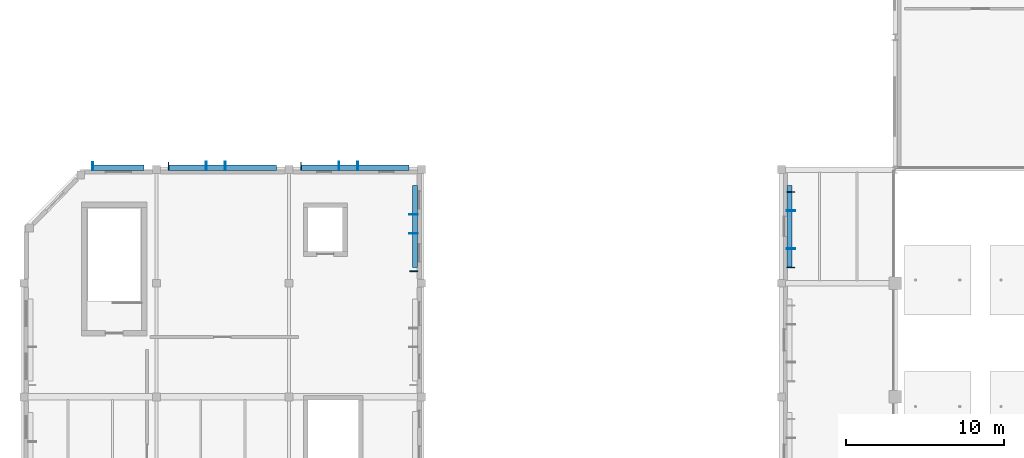
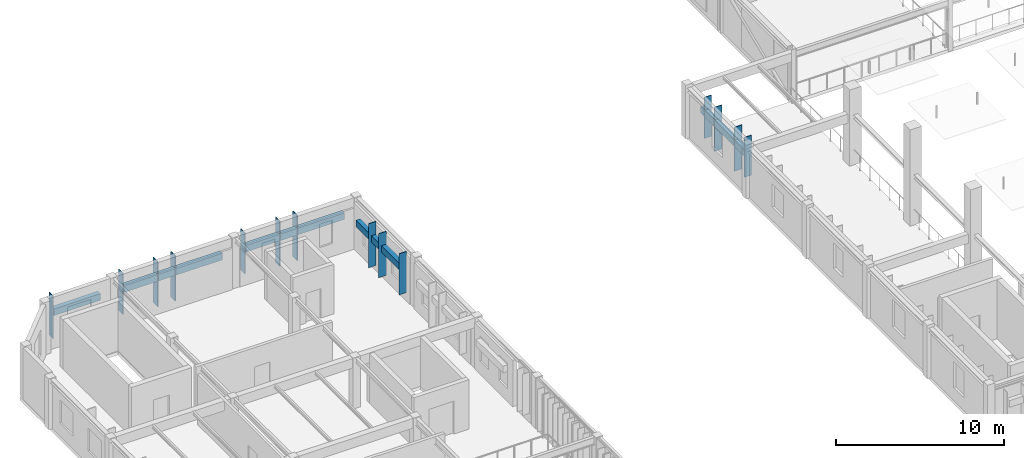
# One storey, part 10 of 44: 19 plates.
"""IFC4 building model written with IfcOpenShell, lengths in metres."""

import ifcopenshell
import ifcopenshell.guid

model = None  # the IFC model being written
_history = None  # IfcOwnerHistory: only IFC2X3 demands one
_inside = {}  # id of a spatial element -> (the spatial element, [elements in it])
_under = {}  # id of a project, library or spatial element -> (it, [spatial elements below it])
_declared = {}  # id of a project -> (the project, [libraries it declares])
_typed = {}  # id of a type object -> (the type object, [elements of that type])
_made_of = {}  # id of a material, layer set ... -> (it, [elements and type objects made of it])


def new_model(schema):
    """Start an empty IFC model of exactly this schema.

    Asked for "IFC4X3", IfcOpenShell would pick the latest addendum, in which some entities
    have other attributes; the version numbers below select the first issue.
    IFC2X3 requires an IfcOwnerHistory on every rooted entity: one is made here for all.
    """
    global model, _history
    if schema == "IFC4X3":
        model = ifcopenshell.file(schema_version=(4, 3, 0, 0))
    else:
        model = ifcopenshell.file(schema=schema)
    _inside.clear()
    _under.clear()
    _declared.clear()
    _typed.clear()
    _made_of.clear()
    _history = None
    if model.schema == "IFC2X3":
        org = make("IfcOrganization", Name="unknown")
        user = make(
            "IfcPersonAndOrganization",
            ThePerson=make("IfcPerson", FamilyName="unknown"),
            TheOrganization=org,
        )
        app = make(
            "IfcApplication",
            ApplicationDeveloper=org,
            Version="unknown",
            ApplicationFullName="unknown",
            ApplicationIdentifier="unknown",
        )
        _history = make(
            "IfcOwnerHistory",
            OwningUser=user,
            OwningApplication=app,
            ChangeAction="ADDED",
            CreationDate=0,
        )
    return model


def make(cls, **values):
    """One entity of the class cls with the attributes given. An attribute that is None is left unset."""
    return model.create_entity(
        cls, **{name: value for name, value in values.items() if value is not None}
    )


def rooted(cls, **values):
    """An entity with a GlobalId (a new one), such as an element, a storey or a relation."""
    return make(cls, GlobalId=ifcopenshell.guid.new(), OwnerHistory=_history, **values)


def si_unit(unit_type, name, prefix=None):
    """IfcSIUnit, for example si_unit("LENGTHUNIT", "METRE", prefix="MILLI")."""
    return make("IfcSIUnit", UnitType=unit_type, Prefix=prefix, Name=name)


def assignment(units):
    """IfcUnitAssignment: the units of a project."""
    return None if units is None else make("IfcUnitAssignment", Units=units)


def point(xyz):
    """IfcCartesianPoint."""
    return None if xyz is None else make("IfcCartesianPoint", Coordinates=xyz)


def direction(xyz):
    """IfcDirection."""
    return None if xyz is None else make("IfcDirection", DirectionRatios=xyz)


def frame(location, z_axis=None, x_axis=None):
    """IfcAxis2Placement3D, a coordinate frame: its origin and axes. An axis left out is left unset."""
    return make(
        "IfcAxis2Placement3D",
        Location=point(location),
        Axis=direction(z_axis),
        RefDirection=direction(x_axis),
    )


def frame_2d(location, x_axis=None):
    """IfcAxis2Placement2D, a coordinate frame in the plane: its origin and x axis."""
    return make(
        "IfcAxis2Placement2D", Location=point(location), RefDirection=direction(x_axis)
    )


def origin():
    """The frame at (0, 0, 0) with its axes left unset."""
    return frame((0.0, 0.0, 0.0))


def origin_2d():
    """The frame at (0, 0) in the plane with its x axis left unset."""
    return frame_2d((0.0, 0.0))


def place(relative_to, where):
    """IfcLocalPlacement: puts the frame where relative to a parent placement (None: the world)."""
    return make(
        "IfcLocalPlacement", PlacementRelTo=relative_to, RelativePlacement=where
    )


def context(
    kind, dimensions, precision=None, world=None, true_north=None, identifier=None
):
    """IfcGeometricRepresentationContext, for example the 3D "Model" context."""
    return make(
        "IfcGeometricRepresentationContext",
        ContextIdentifier=identifier,
        ContextType=kind,
        CoordinateSpaceDimension=dimensions,
        Precision=precision,
        WorldCoordinateSystem=world,
        TrueNorth=true_north,
    )


def subcontext(parent, identifier, kind, view, scale=None):
    """IfcGeometricRepresentationSubContext, for example "Body" below "Model"."""
    return make(
        "IfcGeometricRepresentationSubContext",
        ContextIdentifier=identifier,
        ContextType=kind,
        ParentContext=parent,
        TargetScale=scale,
        TargetView=view,
    )


def project(units=None, contexts=None):
    """IfcProject with its units and contexts."""
    return rooted(
        "IfcProject",
        Name="project",
        RepresentationContexts=contexts,
        UnitsInContext=assignment(units),
    )


def spatial(cls, under=None, at=None, **own):
    """A site, building, storey or space (cls), placed at a placement, below another one or the project."""
    s = rooted(cls, ObjectPlacement=at, **own)
    if under is not None:
        _under.setdefault(under.id(), (under, []))[1].append(s)
    return s


def profile(cls, at=None, kind="AREA", **sizes):
    """A parametric profile (cls). Its sizes go by their IFC names, for example OverallWidth=200.0."""
    return make(cls, ProfileType=kind, Position=at, **sizes)


def rectangle(**sizes):
    """IfcRectangleProfileDef."""
    return profile("IfcRectangleProfileDef", **sizes)


def extrude(swept, where, along, depth):
    """IfcExtrudedAreaSolid: the profile swept, set in the frame where, extruded along a direction by depth."""
    return make(
        "IfcExtrudedAreaSolid",
        SweptArea=swept,
        Position=where,
        ExtrudedDirection=direction(along),
        Depth=depth,
    )


def shape(context_of_items, identifier, shape_type, items):
    """IfcShapeRepresentation: the items that make up one representation, for example the "Body"."""
    return make(
        "IfcShapeRepresentation",
        ContextOfItems=context_of_items,
        RepresentationIdentifier=identifier,
        RepresentationType=shape_type,
        Items=items,
    )


def material(Name=None, Category=None):
    """IfcMaterial."""
    return make("IfcMaterial", Name=Name, Category=Category)


def layer(
    of_material, thickness, ventilated=None, Name=None, Category=None, Priority=None
):
    """IfcMaterialLayer: one layer of a wall or slab, of a material (None: an air gap)."""
    return make(
        "IfcMaterialLayer",
        Material=of_material,
        LayerThickness=thickness,
        IsVentilated=ventilated,
        Name=Name,
        Category=Category,
        Priority=Priority,
    )


def layer_set(layers, Name=None):
    """IfcMaterialLayerSet."""
    return make("IfcMaterialLayerSet", MaterialLayers=layers, LayerSetName=Name)


def made_of(thing, what):
    """Note that an element or type object is made of a material, layer set ...; save() writes the relation."""
    if what is not None:
        _made_of.setdefault(what.id(), (what, []))[1].append(thing)
    return thing


def type_object(cls, material=None, **own):
    """A type object (cls), such as IfcWallType, which elements share."""
    return made_of(rooted(cls, **own), material)


def element(
    cls,
    number,
    at=None,
    inside=None,
    cuts=None,
    type_object=None,
    material=None,
    context=None,
    identifier="Body",
    shape_type=None,
    held_by="IfcProductDefinitionShape",
    body=None,
    shapes=None,
    **own,
):
    """One element of the class cls, such as IfcWall. Its Tag is "e" and its number.

    at: its placement. inside: the storey or other place that contains it. cuts: it is an
    opening in that element (IfcRelVoidsElement). A single representation is given by context,
    identifier, shape_type and body (its items); several are given by shapes. held_by: the class
    of the entity that holds the representations. save() writes the other relations.
    """
    e = rooted(cls, Tag="e%d" % number, ObjectPlacement=at, **own)
    if body is not None:
        shapes = [shape(context, identifier, shape_type, body)]
    if shapes is not None:
        e.Representation = make(held_by, Representations=shapes)
    if inside is not None:
        _inside.setdefault(inside.id(), (inside, []))[1].append(e)
    if cuts is not None:
        rooted(
            "IfcRelVoidsElement", RelatingBuildingElement=cuts, RelatedOpeningElement=e
        )
    if type_object is not None:
        _typed.setdefault(type_object.id(), (type_object, []))[1].append(e)
    return made_of(e, material)


def aggregate(whole, parts):
    """IfcRelAggregates: a whole, such as a stair, and the parts it consists of."""
    return rooted("IfcRelAggregates", RelatingObject=whole, RelatedObjects=parts)


def save(model, path):
    """Write the relations noted so far, then the file.

    IfcRelAggregates (storeys below a building ...), IfcRelContainedInSpatialStructure (elements
    in a storey), IfcRelDefinesByType, IfcRelAssociatesMaterial and IfcRelDeclares: one each for
    every whole, place, type object, material and project.
    """
    for whole, parts in _under.values():
        aggregate(whole, parts)
    for where, things in _inside.values():
        rooted(
            "IfcRelContainedInSpatialStructure",
            RelatedElements=things,
            RelatingStructure=where,
        )
    for kind, things in _typed.values():
        rooted("IfcRelDefinesByType", RelatedObjects=things, RelatingType=kind)
    for what, things in _made_of.values():
        rooted("IfcRelAssociatesMaterial", RelatedObjects=things, RelatingMaterial=what)
    for by, libraries in _declared.values():
        rooted("IfcRelDeclares", RelatingContext=by, RelatedDefinitions=libraries)
    model.write(path)


model = new_model("IFC4")

# Units and contexts
model_context = context("Model", 3, precision=1e-05, world=origin(), true_north=direction((0.0, 1.0)))
body_context = subcontext(model_context, "Body", "Model", "MODEL_VIEW")
ifc_project = project(units=[si_unit("LENGTHUNIT", "METRE"), si_unit("AREAUNIT", "SQUARE_METRE"), si_unit("VOLUMEUNIT", "CUBIC_METRE"), si_unit("PLANEANGLEUNIT", "RADIAN"), si_unit("MASSUNIT", "GRAM", prefix="KILO")], contexts=[model_context])

# Site, building, storey
site_placement = place(None, origin())
site = spatial("IfcSite", under=ifc_project, at=site_placement, CompositionType="ELEMENT")
building_placement = place(site_placement, origin())
building = spatial("IfcBuilding", under=site, at=building_placement, Name="Tazoul Stagehouse", CompositionType="ELEMENT")
storey_placement = place(building_placement, frame((0.0, 0.0, 13.199951171875)))
storey = spatial("IfcBuildingStorey", under=building, at=storey_placement, Name="L03", CompositionType="ELEMENT", Elevation=13.199951171875)

# Plates
ifc_material = material(Name="Anodised Bronze Aluminium 6063-T6", Category="aluminium")
ifc_layer_1 = layer(ifc_material, 0.489990234375, Name="Anodised Bronze Aluminium 6063-T6")
ifc_layer_set_1 = layer_set([ifc_layer_1], Name="Anodised Bronze Aluminium 6063-T6")
plate_type_1 = type_object("IfcPlateType", Name="Parametric Terracotta-Bronze Solar Fin 490x2900", PredefinedType="USERDEFINED", material=ifc_layer_set_1)
plate_1_placement = place(storey_placement, frame((50.9951171875, 81.590087890625, 0.630126953125), z_axis=(0.0, 0.0, 1.0), x_axis=(0.0, 1.0, 0.0)))
element("IfcPlate", 1, at=plate_1_placement, inside=storey, type_object=plate_type_1, Name="L03 Parametric Solar Fin SFN-15 (WALL-V1-W-L03-S1-B5-01)", ObjectType="SOLAR FIN", PredefinedType="USERDEFINED", context=body_context, shape_type="SweptSolid", body=[
    extrude(rectangle(XDim=0.044921875, YDim=0.489990234375, at=origin_2d()), origin(), (0.0, 0.0, 1.0), 2.89990234375),
])
ifc_layer_2 = layer(ifc_material, 0.5, Name="Anodised Bronze Aluminium 6063-T6")
ifc_layer_set_2 = layer_set([ifc_layer_2], Name="Anodised Bronze Aluminium 6063-T6")
plate_type_2 = type_object("IfcPlateType", Name="Parametric Terracotta-Bronze Solar Fin 500x3000", PredefinedType="USERDEFINED", material=ifc_layer_set_2)
for number, where, z_axis, x_axis, name in (
    (2, (11.554931640625, 88.010009765625, 0.630126953125), (0.0, 0.0, 1.0), (1.0, 0.0, 0.0), "L03 Parametric Solar Fin SFN-16 (WALL-V6-N-L03-S2-01)"),
    (3, (19.955078125, 88.010009765625, 0.630126953125), (0.0, 0.0, 1.0), (1.0, 0.0, 0.0), "L03 Parametric Solar Fin SFN-16 (WALL-V6-N-L03-S3-01)"),
    (4, (27.090087890625, 81.35498046875, 0.580078125), (0.0, 0.0, 1.0), (0.0, 1.0, 0.0), "L03 Parametric Solar Fin SFN-16 (WALL-V6-E2-L03-S3-01)"),
    (5, (51.0, 86.389892578125, 0.530029296875), (0.0, 0.0, 1.0), (0.0, 1.0, 0.0), "L03 Parametric Solar Fin SFN-16 (WALL-V1-W-L03-S1-B5-05)"),
):
    element("IfcPlate", number, at=place(storey_placement, frame(where, z_axis=z_axis, x_axis=x_axis)), inside=storey, type_object=plate_type_2, Name=name, ObjectType="SOLAR FIN", PredefinedType="USERDEFINED", context=body_context, shape_type="SweptSolid", body=[
        extrude(rectangle(XDim=0.044921875, YDim=0.5, at=origin_2d()), origin(), (0.0, 0.0, 1.0), 3.0),
    ])
ifc_layer_3 = layer(ifc_material, 0.510009765625, Name="Anodised Bronze Aluminium 6063-T6")
ifc_layer_set_3 = layer_set([ifc_layer_3], Name="Anodised Bronze Aluminium 6063-T6")
plate_type_3 = type_object("IfcPlateType", Name="Parametric Terracotta-Bronze Solar Fin 510x3100", PredefinedType="USERDEFINED", material=ifc_layer_set_3)
plate_2_placement = place(storey_placement, frame((6.7548828125, 88.014892578125, 0.530029296875), z_axis=(0.0, 0.0, 1.0), x_axis=(1.0, 0.0, 0.0)))
element("IfcPlate", 6, at=plate_2_placement, inside=storey, type_object=plate_type_3, Name="L03 Parametric Solar Fin SFN-17 (WALL-V6-N-L03-S1-01)", ObjectType="SOLAR FIN", PredefinedType="USERDEFINED", context=body_context, shape_type="SweptSolid", body=[
    extrude(rectangle(XDim=0.044921875, YDim=0.510009765625, at=origin_2d()), origin(), (0.0, 0.0, 1.0), 3.10009765625),
])
ifc_layer_4 = layer(ifc_material, 0.52001953125, Name="Anodised Bronze Aluminium 6063-T6")
ifc_layer_set_4 = layer_set([ifc_layer_4], Name="Anodised Bronze Aluminium 6063-T6")
plate_type_4 = type_object("IfcPlateType", Name="Parametric Terracotta-Bronze Solar Fin 520x3200", PredefinedType="USERDEFINED", material=ifc_layer_set_4)
for number, where, z_axis, x_axis, name in (
    (7, (27.080078125, 83.7548828125, 0.3798828125), (0.0, 0.0, 1.0), (0.0, 1.0, 0.0), "L03 Parametric Solar Fin SFN-18 (WALL-V6-E2-L03-S3-03)"),
    (8, (27.080078125, 84.955078125, 0.3798828125), (0.0, 0.0, 1.0), (0.0, 1.0, 0.0), "L03 Parametric Solar Fin SFN-18 (WALL-V6-E2-L03-S3-04)"),
    (9, (51.010009765625, 82.7900390625, 0.330078125), (0.0, 0.0, 1.0), (0.0, 1.0, 0.0), "L03 Parametric Solar Fin SFN-18 (WALL-V1-W-L03-S1-B5-02)"),
    (10, (51.010009765625, 85.18994140625, 0.330078125), (0.0, 0.0, 1.0), (0.0, 1.0, 0.0), "L03 Parametric Solar Fin SFN-18 (WALL-V1-W-L03-S1-B5-04)"),
):
    element("IfcPlate", number, at=place(storey_placement, frame(where, z_axis=z_axis, x_axis=x_axis)), inside=storey, type_object=plate_type_4, Name=name, ObjectType="SOLAR FIN", PredefinedType="USERDEFINED", context=body_context, shape_type="SweptSolid", body=[
        extrude(rectangle(XDim=0.044921875, YDim=0.52001953125, at=origin_2d()), origin(), (0.0, 0.0, 1.0), 3.199951171875),
    ])
ifc_layer_5 = layer(ifc_material, 0.530029296875, Name="Anodised Bronze Aluminium 6063-T6")
ifc_layer_set_5 = layer_set([ifc_layer_5], Name="Anodised Bronze Aluminium 6063-T6")
plate_type_5 = type_object("IfcPlateType", Name="Parametric Terracotta-Bronze Solar Fin 530x3300", PredefinedType="USERDEFINED", material=ifc_layer_set_5)
for number, where, z_axis, x_axis, name in (
    (11, (13.955078125, 88.02490234375, 0.330078125), (0.0, 0.0, 1.0), (1.0, 0.0, 0.0), "L03 Parametric Solar Fin SFN-19 (WALL-V6-N-L03-S2-03)"),
    (12, (15.155029296875, 88.02490234375, 0.330078125), (0.0, 0.0, 1.0), (1.0, 0.0, 0.0), "L03 Parametric Solar Fin SFN-19 (WALL-V6-N-L03-S2-04)"),
    (13, (22.35498046875, 88.02490234375, 0.330078125), (0.0, 0.0, 1.0), (1.0, 0.0, 0.0), "L03 Parametric Solar Fin SFN-19 (WALL-V6-N-L03-S3-03)"),
    (14, (23.554931640625, 88.02490234375, 0.330078125), (0.0, 0.0, 1.0), (1.0, 0.0, 0.0), "L03 Parametric Solar Fin SFN-19 (WALL-V6-N-L03-S3-04)"),
):
    element("IfcPlate", number, at=place(storey_placement, frame(where, z_axis=z_axis, x_axis=x_axis)), inside=storey, type_object=plate_type_5, Name=name, ObjectType="SOLAR FIN", PredefinedType="USERDEFINED", context=body_context, shape_type="SweptSolid", body=[
        extrude(rectangle(XDim=0.044921875, YDim=0.530029296875, at=origin_2d()), origin(), (0.0, 0.0, 1.0), 3.300048828125),
    ])
ifc_layer_6 = layer(ifc_material, 0.320068359375, Name="Anodised Bronze Aluminium 6063-T6")
ifc_layer_set_6 = layer_set([ifc_layer_6], Name="Anodised Bronze Aluminium 6063-T6")
plate_type_6 = type_object("IfcPlateType", Name="Sculpted Facade Spandrel Ribbon 3200x480", PredefinedType="USERDEFINED", material=ifc_layer_set_6)
plate_3_placement = place(storey_placement, frame((8.39990234375, 87.919921875, 2.197509765625), z_axis=(0.0, 0.0, 1.0), x_axis=(1.0, 0.0, 0.0)))
element("IfcPlate", 15, at=plate_3_placement, inside=storey, type_object=plate_type_6, Name="L03 Sculpted Facade Spandrel Ribbon FRB-04 (WALL-V6-N-L03-S1)", ObjectType="FACADE RIBBON", PredefinedType="USERDEFINED", context=body_context, shape_type="SweptSolid", body=[
    extrude(rectangle(XDim=3.199951171875, YDim=0.320068359375, at=origin_2d()), origin(), (0.0, 0.0, 1.0), 0.47998046875),
])
ifc_layer_7 = layer(ifc_material, 0.320068359375, Name="Anodised Bronze Aluminium 6063-T6")
ifc_layer_set_7 = layer_set([ifc_layer_7], Name="Anodised Bronze Aluminium 6063-T6")
plate_type_7 = type_object("IfcPlateType", Name="Sculpted Facade Spandrel Ribbon 5200x480", PredefinedType="USERDEFINED", material=ifc_layer_set_7)
for number, where, z_axis, x_axis, name in (
    (16, (27.179931640625, 84.199951171875, 2.1650390625), (0.0, 0.0, 1.0), (0.0, 1.0, 0.0), "L03 Sculpted Facade Spandrel Ribbon FRB-07 (WALL-V6-E2-L03-S3)"),
    (17, (50.909912109375, 84.199951171875, 2.132568359375), (0.0, 0.0, 1.0), (0.0, 1.0, 0.0), "L03 Sculpted Facade Spandrel Ribbon FRB-07 (WALL-V1-W-L03-S1-B5)"),
):
    element("IfcPlate", number, at=place(storey_placement, frame(where, z_axis=z_axis, x_axis=x_axis)), inside=storey, type_object=plate_type_7, Name=name, ObjectType="FACADE RIBBON", PredefinedType="USERDEFINED", context=body_context, shape_type="SweptSolid", body=[
        extrude(rectangle(XDim=5.199951171875, YDim=0.320068359375, at=origin_2d()), origin(), (0.0, 0.0, 1.0), 0.47998046875),
    ])
ifc_layer_8 = layer(ifc_material, 0.320068359375, Name="Anodised Bronze Aluminium 6063-T6")
ifc_layer_set_8 = layer_set([ifc_layer_8], Name="Anodised Bronze Aluminium 6063-T6")
plate_type_8 = type_object("IfcPlateType", Name="Sculpted Facade Spandrel Ribbon 6800x480", PredefinedType="USERDEFINED", material=ifc_layer_set_8)
for number, where, z_axis, x_axis, name in (
    (18, (15.0, 87.919921875, 2.197509765625), (0.0, 0.0, 1.0), (1.0, 0.0, 0.0), "L03 Sculpted Facade Spandrel Ribbon FRB-10 (WALL-V6-N-L03-S2)"),
    (19, (23.39990234375, 87.919921875, 2.197509765625), (0.0, 0.0, 1.0), (1.0, 0.0, 0.0), "L03 Sculpted Facade Spandrel Ribbon FRB-10 (WALL-V6-N-L03-S3)"),
):
    element("IfcPlate", number, at=place(storey_placement, frame(where, z_axis=z_axis, x_axis=x_axis)), inside=storey, type_object=plate_type_8, Name=name, ObjectType="FACADE RIBBON", PredefinedType="USERDEFINED", context=body_context, shape_type="SweptSolid", body=[
        extrude(rectangle(XDim=6.800048828125, YDim=0.320068359375, at=origin_2d()), origin(), (0.0, 0.0, 1.0), 0.47998046875),
    ])

save(model, "model.ifc")
